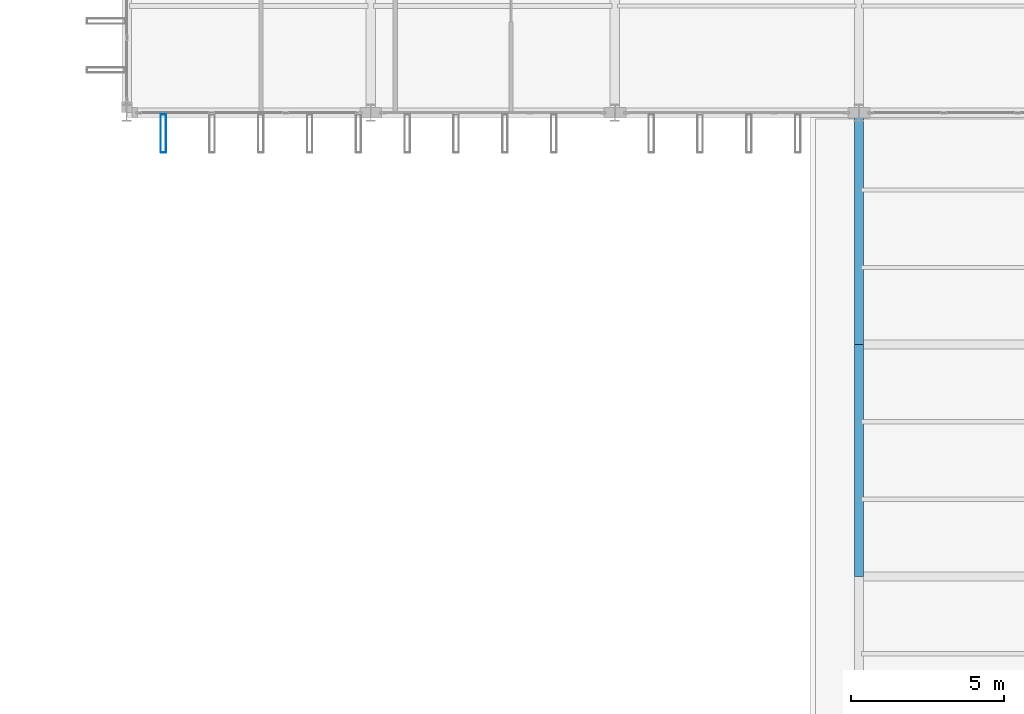
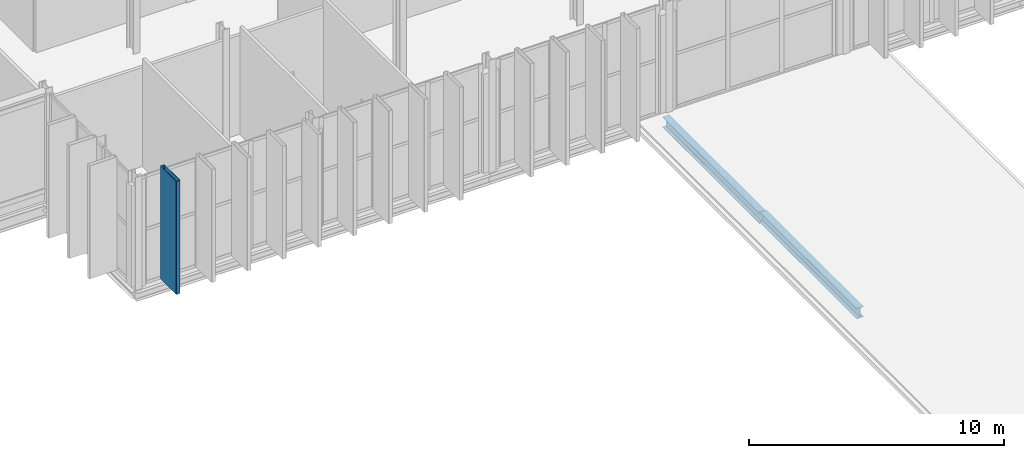
# One storey, part 34 of 147: 2 beams, 1 member.
"""IFC4 building model written with IfcOpenShell, lengths in metres."""

import ifcopenshell
import ifcopenshell.guid

model = None  # the IFC model being written
_history = None  # IfcOwnerHistory: only IFC2X3 demands one
_inside = {}  # id of a spatial element -> (the spatial element, [elements in it])
_under = {}  # id of a project, library or spatial element -> (it, [spatial elements below it])
_declared = {}  # id of a project -> (the project, [libraries it declares])
_typed = {}  # id of a type object -> (the type object, [elements of that type])
_made_of = {}  # id of a material, layer set ... -> (it, [elements and type objects made of it])


def new_model(schema):
    """Start an empty IFC model of exactly this schema.

    Asked for "IFC4X3", IfcOpenShell would pick the latest addendum, in which some entities
    have other attributes; the version numbers below select the first issue.
    IFC2X3 requires an IfcOwnerHistory on every rooted entity: one is made here for all.
    """
    global model, _history
    if schema == "IFC4X3":
        model = ifcopenshell.file(schema_version=(4, 3, 0, 0))
    else:
        model = ifcopenshell.file(schema=schema)
    _inside.clear()
    _under.clear()
    _declared.clear()
    _typed.clear()
    _made_of.clear()
    _history = None
    if model.schema == "IFC2X3":
        org = make("IfcOrganization", Name="unknown")
        user = make(
            "IfcPersonAndOrganization",
            ThePerson=make("IfcPerson", FamilyName="unknown"),
            TheOrganization=org,
        )
        app = make(
            "IfcApplication",
            ApplicationDeveloper=org,
            Version="unknown",
            ApplicationFullName="unknown",
            ApplicationIdentifier="unknown",
        )
        _history = make(
            "IfcOwnerHistory",
            OwningUser=user,
            OwningApplication=app,
            ChangeAction="ADDED",
            CreationDate=0,
        )
    return model


def make(cls, **values):
    """One entity of the class cls with the attributes given. An attribute that is None is left unset."""
    return model.create_entity(
        cls, **{name: value for name, value in values.items() if value is not None}
    )


def rooted(cls, **values):
    """An entity with a GlobalId (a new one), such as an element, a storey or a relation."""
    return make(cls, GlobalId=ifcopenshell.guid.new(), OwnerHistory=_history, **values)


def si_unit(unit_type, name, prefix=None):
    """IfcSIUnit, for example si_unit("LENGTHUNIT", "METRE", prefix="MILLI")."""
    return make("IfcSIUnit", UnitType=unit_type, Prefix=prefix, Name=name)


def assignment(units):
    """IfcUnitAssignment: the units of a project."""
    return None if units is None else make("IfcUnitAssignment", Units=units)


def point(xyz):
    """IfcCartesianPoint."""
    return None if xyz is None else make("IfcCartesianPoint", Coordinates=xyz)


def direction(xyz):
    """IfcDirection."""
    return None if xyz is None else make("IfcDirection", DirectionRatios=xyz)


def frame(location, z_axis=None, x_axis=None):
    """IfcAxis2Placement3D, a coordinate frame: its origin and axes. An axis left out is left unset."""
    return make(
        "IfcAxis2Placement3D",
        Location=point(location),
        Axis=direction(z_axis),
        RefDirection=direction(x_axis),
    )


def frame_2d(location, x_axis=None):
    """IfcAxis2Placement2D, a coordinate frame in the plane: its origin and x axis."""
    return make(
        "IfcAxis2Placement2D", Location=point(location), RefDirection=direction(x_axis)
    )


def origin():
    """The frame at (0, 0, 0) with its axes left unset."""
    return frame((0.0, 0.0, 0.0))


def origin_2d():
    """The frame at (0, 0) in the plane with its x axis left unset."""
    return frame_2d((0.0, 0.0))


def place(relative_to, where):
    """IfcLocalPlacement: puts the frame where relative to a parent placement (None: the world)."""
    return make(
        "IfcLocalPlacement", PlacementRelTo=relative_to, RelativePlacement=where
    )


def context(
    kind, dimensions, precision=None, world=None, true_north=None, identifier=None
):
    """IfcGeometricRepresentationContext, for example the 3D "Model" context."""
    return make(
        "IfcGeometricRepresentationContext",
        ContextIdentifier=identifier,
        ContextType=kind,
        CoordinateSpaceDimension=dimensions,
        Precision=precision,
        WorldCoordinateSystem=world,
        TrueNorth=true_north,
    )


def subcontext(parent, identifier, kind, view, scale=None):
    """IfcGeometricRepresentationSubContext, for example "Body" below "Model"."""
    return make(
        "IfcGeometricRepresentationSubContext",
        ContextIdentifier=identifier,
        ContextType=kind,
        ParentContext=parent,
        TargetScale=scale,
        TargetView=view,
    )


def project(units=None, contexts=None):
    """IfcProject with its units and contexts."""
    return rooted(
        "IfcProject",
        Name="project",
        RepresentationContexts=contexts,
        UnitsInContext=assignment(units),
    )


def spatial(cls, under=None, at=None, **own):
    """A site, building, storey or space (cls), placed at a placement, below another one or the project."""
    s = rooted(cls, ObjectPlacement=at, **own)
    if under is not None:
        _under.setdefault(under.id(), (under, []))[1].append(s)
    return s


def profile(cls, at=None, kind="AREA", **sizes):
    """A parametric profile (cls). Its sizes go by their IFC names, for example OverallWidth=200.0."""
    return make(cls, ProfileType=kind, Position=at, **sizes)


def hollow_rectangle(**sizes):
    """IfcRectangleHollowProfileDef."""
    return profile("IfcRectangleHollowProfileDef", **sizes)


def i_section(**sizes):
    """IfcIShapeProfileDef."""
    return profile("IfcIShapeProfileDef", **sizes)


def extrude(swept, where, along, depth):
    """IfcExtrudedAreaSolid: the profile swept, set in the frame where, extruded along a direction by depth."""
    return make(
        "IfcExtrudedAreaSolid",
        SweptArea=swept,
        Position=where,
        ExtrudedDirection=direction(along),
        Depth=depth,
    )


def shape(context_of_items, identifier, shape_type, items):
    """IfcShapeRepresentation: the items that make up one representation, for example the "Body"."""
    return make(
        "IfcShapeRepresentation",
        ContextOfItems=context_of_items,
        RepresentationIdentifier=identifier,
        RepresentationType=shape_type,
        Items=items,
    )


def material(Name=None, Category=None):
    """IfcMaterial."""
    return make("IfcMaterial", Name=Name, Category=Category)


def material_profile(
    of_material, cross_section, Name=None, Category=None, Priority=None
):
    """IfcMaterialProfile: a cross section and its material."""
    return make(
        "IfcMaterialProfile",
        Name=Name,
        Material=of_material,
        Profile=cross_section,
        Priority=Priority,
        Category=Category,
    )


def profile_set(profiles, Name=None, composite=None):
    """IfcMaterialProfileSet."""
    return make(
        "IfcMaterialProfileSet",
        Name=Name,
        MaterialProfiles=profiles,
        CompositeProfile=composite,
    )


def made_of(thing, what):
    """Note that an element or type object is made of a material, layer set ...; save() writes the relation."""
    if what is not None:
        _made_of.setdefault(what.id(), (what, []))[1].append(thing)
    return thing


def type_object(cls, material=None, **own):
    """A type object (cls), such as IfcWallType, which elements share."""
    return made_of(rooted(cls, **own), material)


def element(
    cls,
    number,
    at=None,
    inside=None,
    cuts=None,
    type_object=None,
    material=None,
    context=None,
    identifier="Body",
    shape_type=None,
    held_by="IfcProductDefinitionShape",
    body=None,
    shapes=None,
    **own,
):
    """One element of the class cls, such as IfcWall. Its Tag is "e" and its number.

    at: its placement. inside: the storey or other place that contains it. cuts: it is an
    opening in that element (IfcRelVoidsElement). A single representation is given by context,
    identifier, shape_type and body (its items); several are given by shapes. held_by: the class
    of the entity that holds the representations. save() writes the other relations.
    """
    e = rooted(cls, Tag="e%d" % number, ObjectPlacement=at, **own)
    if body is not None:
        shapes = [shape(context, identifier, shape_type, body)]
    if shapes is not None:
        e.Representation = make(held_by, Representations=shapes)
    if inside is not None:
        _inside.setdefault(inside.id(), (inside, []))[1].append(e)
    if cuts is not None:
        rooted(
            "IfcRelVoidsElement", RelatingBuildingElement=cuts, RelatedOpeningElement=e
        )
    if type_object is not None:
        _typed.setdefault(type_object.id(), (type_object, []))[1].append(e)
    return made_of(e, material)


def aggregate(whole, parts):
    """IfcRelAggregates: a whole, such as a stair, and the parts it consists of."""
    return rooted("IfcRelAggregates", RelatingObject=whole, RelatedObjects=parts)


def save(model, path):
    """Write the relations noted so far, then the file.

    IfcRelAggregates (storeys below a building ...), IfcRelContainedInSpatialStructure (elements
    in a storey), IfcRelDefinesByType, IfcRelAssociatesMaterial and IfcRelDeclares: one each for
    every whole, place, type object, material and project.
    """
    for whole, parts in _under.values():
        aggregate(whole, parts)
    for where, things in _inside.values():
        rooted(
            "IfcRelContainedInSpatialStructure",
            RelatedElements=things,
            RelatingStructure=where,
        )
    for kind, things in _typed.values():
        rooted("IfcRelDefinesByType", RelatedObjects=things, RelatingType=kind)
    for what, things in _made_of.values():
        rooted("IfcRelAssociatesMaterial", RelatedObjects=things, RelatingMaterial=what)
    for by, libraries in _declared.values():
        rooted("IfcRelDeclares", RelatingContext=by, RelatedDefinitions=libraries)
    model.write(path)


model = new_model("IFC4")

# Units and contexts
model_context = context("Model", 3, precision=1e-05, world=origin(), true_north=direction((0.0, 1.0)))
body_context = subcontext(model_context, "Body", "Model", "MODEL_VIEW")
ifc_project = project(units=[si_unit("LENGTHUNIT", "METRE"), si_unit("AREAUNIT", "SQUARE_METRE"), si_unit("VOLUMEUNIT", "CUBIC_METRE"), si_unit("PLANEANGLEUNIT", "RADIAN"), si_unit("MASSUNIT", "GRAM", prefix="KILO")], contexts=[model_context])

# Site, building, storey
site_placement = place(None, origin())
site = spatial("IfcSite", under=ifc_project, at=site_placement, CompositionType="ELEMENT")
building_placement = place(site_placement, origin())
building = spatial("IfcBuilding", under=site, at=building_placement, Name="Vekula Escarpment Museum", CompositionType="ELEMENT")
storey_placement = place(building_placement, frame((0.0, 0.0, 7.800048828125)))
storey = spatial("IfcBuildingStorey", under=building, at=storey_placement, Name="L02", CompositionType="ELEMENT", Elevation=7.800048828125)

# Beams
ifc_material_1 = material(Name="Steel S355", Category="steel")
ifc_material_profile_1 = material_profile(ifc_material_1, i_section(OverallWidth=0.300048828125, OverallDepth=0.5, WebThickness=0.014404296875, FlangeThickness=0.028076171875, FilletRadius=0.027099609375, at=origin_2d()), Name="HEB 500")
ifc_profile_set_1 = profile_set([ifc_material_profile_1], Name="Steel S355")
beam_type = type_object("IfcBeamType", Name="BM-GIRD-HEB500", PredefinedType="BEAM", material=ifc_profile_set_1)
for number, where, z_axis, x_axis, name in (
    (1, (94.0, 30.39990234375, -0.449951171875), (0.0, 1.0, 0.0), (-1.0, 0.0, 0.0), "Beam Y L02 1156"),
    (2, (94.0, 38.0, -0.510009765625), (0.0, 1.0, 0.0), (-1.0, 0.0, 0.0), "Beam Y L02 1157"),
):
    element("IfcBeam", number, at=place(storey_placement, frame(where, z_axis=z_axis, x_axis=x_axis)), inside=storey, type_object=beam_type, Name=name, PredefinedType="BEAM", context=body_context, shape_type="SweptSolid", body=[
        extrude(i_section(OverallWidth=0.300048828125, OverallDepth=0.5, WebThickness=0.014404296875, FlangeThickness=0.028076171875, FilletRadius=0.027099609375, at=origin_2d()), origin(), (0.0, 0.0, 1.0), 7.60009765625),
    ])

# Member
ifc_material_2 = material(Name="Steel S355 weathered bronze solar fin", Category="steel")
ifc_material_profile_2 = material_profile(ifc_material_2, hollow_rectangle(XDim=0.179931640625, YDim=1.25, WallThickness=0.010009765625, InnerFilletRadius=0.010009765625, OuterFilletRadius=0.02001953125, at=origin_2d()), Name="RHS 1250x180x10")
ifc_profile_set_2 = profile_set([ifc_material_profile_2], Name="Steel S355 weathered bronze solar fin")
member_type = type_object("IfcMemberType", Name="MB-SOLAR-FIN", PredefinedType="USERDEFINED", material=ifc_profile_set_2)
member_placement = place(storey_placement, frame((71.199951171875, 44.919921875, 0.0), z_axis=(0.0, 0.0, 1.0), x_axis=(1.0, 0.0, 0.0)))
element("IfcMember", 3, at=member_placement, inside=storey, type_object=member_type, Name="Great Hall Vertical Solar Fin 0002", ObjectType="SOLAR FIN", PredefinedType="USERDEFINED", context=body_context, shape_type="SweptSolid", body=[
    extrude(hollow_rectangle(XDim=0.179931640625, YDim=1.25, WallThickness=0.010009765625, InnerFilletRadius=0.010009765625, OuterFilletRadius=0.02001953125, at=origin_2d()), origin(), (0.0, 0.0, 1.0), 5.39990234375),
])

save(model, "model.ifc")
